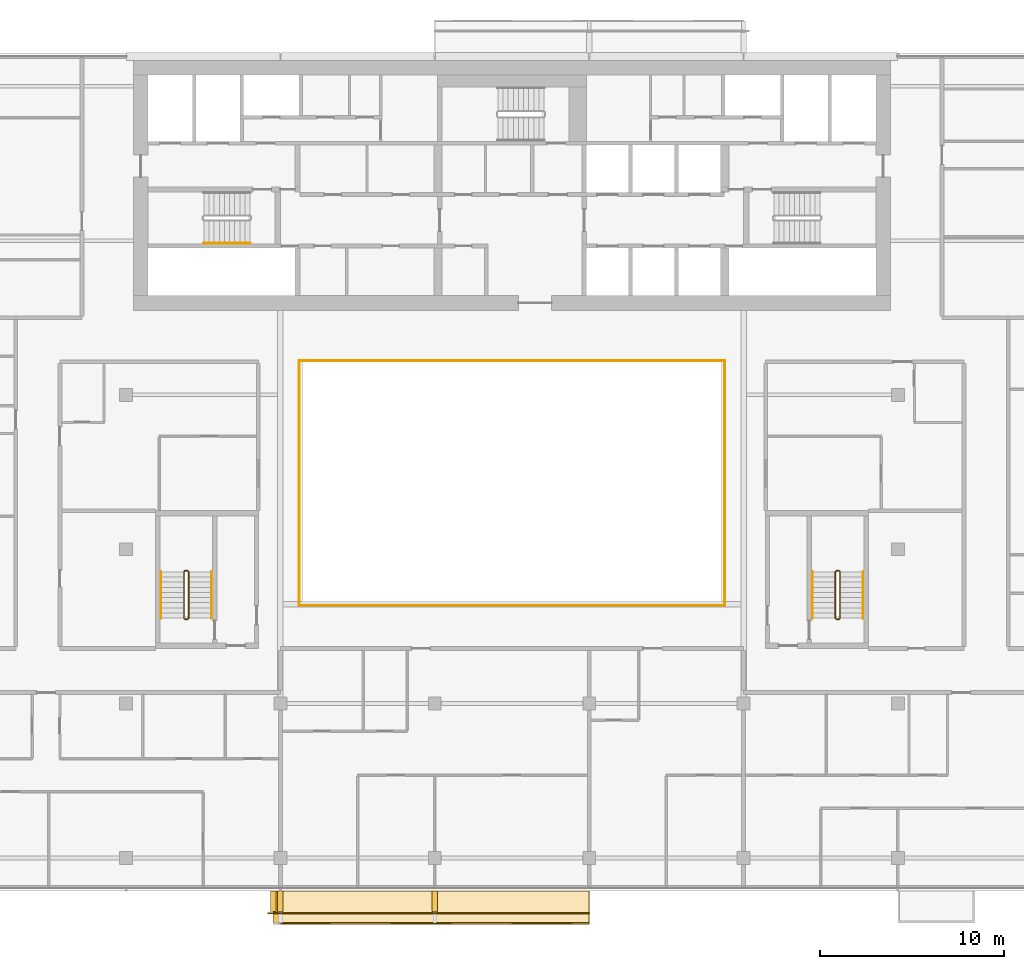
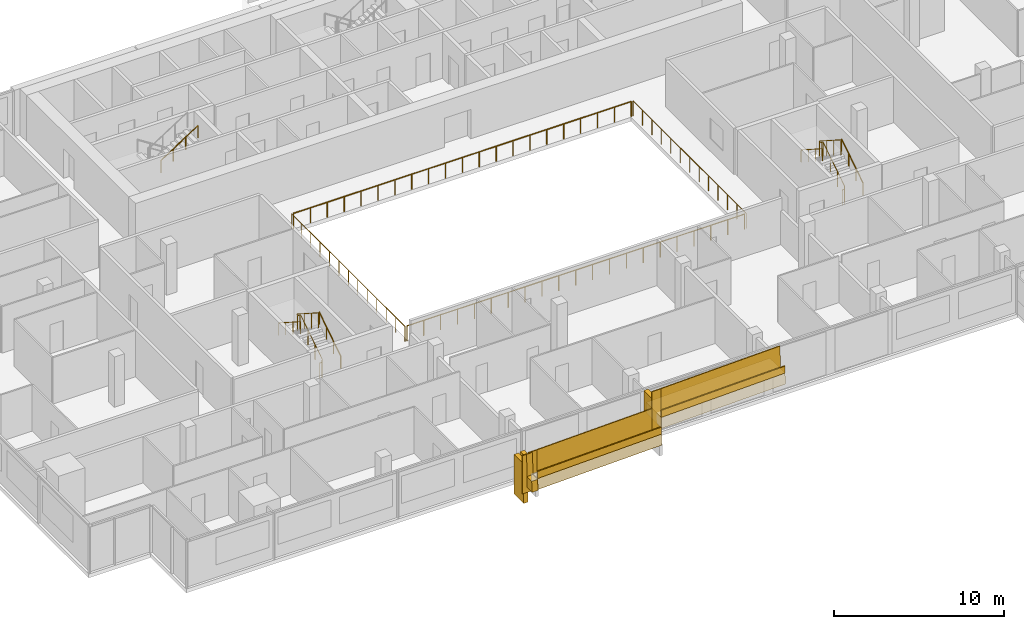
# One storey, part 26 of 27: 17 railings, 8 coverings.
"""IFC4 building model written with IfcOpenShell, lengths in metres."""

from ifc_helpers import new_model, si_unit, direction, frame, origin, origin_2d, place, context, subcontext, project, spatial, polyline, rectangle, circle, outline, extrude, material, layer, layer_set, type_object, element, save


model = new_model("IFC4")

# Units and contexts
model_context = context("Model", 3, precision=1e-05, world=origin(), true_north=direction((0.0, 1.0)))
body_context = subcontext(model_context, "Body", "Model", "MODEL_VIEW")
ifc_project = project(units=[si_unit("LENGTHUNIT", "METRE"), si_unit("AREAUNIT", "SQUARE_METRE"), si_unit("VOLUMEUNIT", "CUBIC_METRE"), si_unit("PLANEANGLEUNIT", "RADIAN"), si_unit("MASSUNIT", "GRAM", prefix="KILO")], contexts=[model_context])

# Site, building, storey
site_placement = place(None, origin())
site = spatial("IfcSite", under=ifc_project, at=site_placement, CompositionType="ELEMENT")
building_placement = place(site_placement, origin())
building = spatial("IfcBuilding", under=site, at=building_placement, Name="Saffron Gate Tower", CompositionType="ELEMENT")
storey_placement = place(building_placement, frame((0.0, 0.0, 172.64990234375)))
storey = spatial("IfcBuildingStorey", under=building, at=storey_placement, Name="L42", CompositionType="ELEMENT", Elevation=172.64990234375)

# Railings
ifc_material_1 = material(Name="Stainless steel and laminated glass", Category="steel")
railing_type_1 = type_object("IfcRailingType", Name="AG1 Atrium edge guard 1100", PredefinedType="GUARDRAIL", material=ifc_material_1)
railing_1_placement = place(storey_placement, frame((76.02001953125, 45.5400390625, 0.0)))
element("IfcRailing", 1, at=railing_1_placement, inside=storey, type_object=railing_type_1, Name="Guard C3-1", PredefinedType="GUARDRAIL", context=body_context, shape_type="SweptSolid", body=[
    extrude(circle(Radius=0.02392578125, at=origin_2d()), frame((0.0, 0.0, 1.076171875), z_axis=(0.0, 1.0, 0.0), x_axis=(-1.0, 0.0, 0.0)), (0.0, 0.0, 1.0), 13.320068359375),
    extrude(circle(Radius=0.02099609375, at=origin_2d()), origin(), (0.0, 0.0, 1.0), 1.052001953125),
    extrude(circle(Radius=0.02099609375, at=origin_2d()), frame((0.0, 1.110107421875, 0.0)), (0.0, 0.0, 1.0), 1.052001953125),
    extrude(circle(Radius=0.02099609375, at=origin_2d()), frame((0.0, 2.219970703125, 0.0)), (0.0, 0.0, 1.0), 1.052001953125),
    extrude(circle(Radius=0.02099609375, at=origin_2d()), frame((0.0, 3.330078125, 0.0)), (0.0, 0.0, 1.0), 1.052001953125),
    extrude(circle(Radius=0.02099609375, at=origin_2d()), frame((0.0, 4.43994140625, 0.0)), (0.0, 0.0, 1.0), 1.052001953125),
    extrude(circle(Radius=0.02099609375, at=origin_2d()), frame((0.0, 5.550048828125, 0.0)), (0.0, 0.0, 1.0), 1.052001953125),
    extrude(circle(Radius=0.02099609375, at=origin_2d()), frame((0.0, 6.66015625, 0.0)), (0.0, 0.0, 1.0), 1.052001953125),
    extrude(circle(Radius=0.02099609375, at=origin_2d()), frame((0.0, 7.77001953125, 0.0)), (0.0, 0.0, 1.0), 1.052001953125),
    extrude(circle(Radius=0.02099609375, at=origin_2d()), frame((0.0, 8.880126953125, 0.0)), (0.0, 0.0, 1.0), 1.052001953125),
    extrude(circle(Radius=0.02099609375, at=origin_2d()), frame((0.0, 9.989990234375, 0.0)), (0.0, 0.0, 1.0), 1.052001953125),
    extrude(circle(Radius=0.02099609375, at=origin_2d()), frame((0.0, 11.10009765625, 0.0)), (0.0, 0.0, 1.0), 1.052001953125),
    extrude(circle(Radius=0.02099609375, at=origin_2d()), frame((0.0, 12.2099609375, 0.0)), (0.0, 0.0, 1.0), 1.052001953125),
    extrude(circle(Radius=0.02099609375, at=origin_2d()), frame((0.0, 13.320068359375, 0.0)), (0.0, 0.0, 1.0), 1.052001953125),
])
railing_2_placement = place(storey_placement, frame((76.139892578125, 58.860107421875, 0.0)))
element("IfcRailing", 2, at=railing_2_placement, inside=storey, type_object=railing_type_1, Name="Guard C3-2", PredefinedType="GUARDRAIL", context=body_context, shape_type="SweptSolid", body=[
    extrude(circle(Radius=0.02392578125, at=origin_2d()), frame((0.0, 0.0, 1.076171875), z_axis=(1.0, 0.0, 0.0), x_axis=(0.0, 1.0, 0.0)), (0.0, 0.0, 1.0), 22.920166015625),
    extrude(circle(Radius=0.02099609375, at=origin_2d()), origin(), (0.0, 0.0, 1.0), 1.052001953125),
    extrude(circle(Radius=0.02099609375, at=origin_2d()), frame((1.14599609375, 0.0, 0.0)), (0.0, 0.0, 1.0), 1.052001953125),
    extrude(circle(Radius=0.02099609375, at=origin_2d()), frame((2.2919921875, 0.0, 0.0)), (0.0, 0.0, 1.0), 1.052001953125),
    extrude(circle(Radius=0.02099609375, at=origin_2d()), frame((3.43798828125, 0.0, 0.0)), (0.0, 0.0, 1.0), 1.052001953125),
    extrude(circle(Radius=0.02099609375, at=origin_2d()), frame((4.583984375, 0.0, 0.0)), (0.0, 0.0, 1.0), 1.052001953125),
    extrude(circle(Radius=0.02099609375, at=origin_2d()), frame((5.72998046875, 0.0, 0.0)), (0.0, 0.0, 1.0), 1.052001953125),
    extrude(circle(Radius=0.02099609375, at=origin_2d()), frame((6.8759765625, 0.0, 0.0)), (0.0, 0.0, 1.0), 1.052001953125),
    extrude(circle(Radius=0.02099609375, at=origin_2d()), frame((8.02197265625, 0.0, 0.0)), (0.0, 0.0, 1.0), 1.052001953125),
    extrude(circle(Radius=0.02099609375, at=origin_2d()), frame((9.16796875, 0.0, 0.0)), (0.0, 0.0, 1.0), 1.052001953125),
    extrude(circle(Radius=0.02099609375, at=origin_2d()), frame((10.31396484375, 0.0, 0.0)), (0.0, 0.0, 1.0), 1.052001953125),
    extrude(circle(Radius=0.02099609375, at=origin_2d()), frame((11.4599609375, 0.0, 0.0)), (0.0, 0.0, 1.0), 1.052001953125),
    extrude(circle(Radius=0.02099609375, at=origin_2d()), frame((12.606201171875, 0.0, 0.0)), (0.0, 0.0, 1.0), 1.052001953125),
    extrude(circle(Radius=0.02099609375, at=origin_2d()), frame((13.752197265625, 0.0, 0.0)), (0.0, 0.0, 1.0), 1.052001953125),
    extrude(circle(Radius=0.02099609375, at=origin_2d()), frame((14.898193359375, 0.0, 0.0)), (0.0, 0.0, 1.0), 1.052001953125),
    extrude(circle(Radius=0.02099609375, at=origin_2d()), frame((16.044189453125, 0.0, 0.0)), (0.0, 0.0, 1.0), 1.052001953125),
    extrude(circle(Radius=0.02099609375, at=origin_2d()), frame((17.190185546875, 0.0, 0.0)), (0.0, 0.0, 1.0), 1.052001953125),
    extrude(circle(Radius=0.02099609375, at=origin_2d()), frame((18.336181640625, 0.0, 0.0)), (0.0, 0.0, 1.0), 1.052001953125),
    extrude(circle(Radius=0.02099609375, at=origin_2d()), frame((19.482177734375, 0.0, 0.0)), (0.0, 0.0, 1.0), 1.052001953125),
    extrude(circle(Radius=0.02099609375, at=origin_2d()), frame((20.628173828125, 0.0, 0.0)), (0.0, 0.0, 1.0), 1.052001953125),
    extrude(circle(Radius=0.02099609375, at=origin_2d()), frame((21.774169921875, 0.0, 0.0)), (0.0, 0.0, 1.0), 1.052001953125),
    extrude(circle(Radius=0.02099609375, at=origin_2d()), frame((22.920166015625, 0.0, 0.0)), (0.0, 0.0, 1.0), 1.052001953125),
])
railing_3_placement = place(storey_placement, frame((99.179931640625, 58.860107421875, 0.0)))
element("IfcRailing", 3, at=railing_3_placement, inside=storey, type_object=railing_type_1, Name="Guard C3-3", PredefinedType="GUARDRAIL", context=body_context, shape_type="SweptSolid", body=[
    extrude(circle(Radius=0.02392578125, at=origin_2d()), frame((0.0, 0.0, 1.076171875), z_axis=(0.0, -1.0, 0.0), x_axis=(1.0, 0.0, 0.0)), (0.0, 0.0, 1.0), 13.320068359375),
    extrude(circle(Radius=0.02099609375, at=origin_2d()), origin(), (0.0, 0.0, 1.0), 1.052001953125),
    extrude(circle(Radius=0.02099609375, at=origin_2d()), frame((0.0, -1.110107421875, 0.0)), (0.0, 0.0, 1.0), 1.052001953125),
    extrude(circle(Radius=0.02099609375, at=origin_2d()), frame((0.0, -2.219970703125, 0.0)), (0.0, 0.0, 1.0), 1.052001953125),
    extrude(circle(Radius=0.02099609375, at=origin_2d()), frame((0.0, -3.330078125, 0.0)), (0.0, 0.0, 1.0), 1.052001953125),
    extrude(circle(Radius=0.02099609375, at=origin_2d()), frame((0.0, -4.43994140625, 0.0)), (0.0, 0.0, 1.0), 1.052001953125),
    extrude(circle(Radius=0.02099609375, at=origin_2d()), frame((0.0, -5.550048828125, 0.0)), (0.0, 0.0, 1.0), 1.052001953125),
    extrude(circle(Radius=0.02099609375, at=origin_2d()), frame((0.0, -6.66015625, 0.0)), (0.0, 0.0, 1.0), 1.052001953125),
    extrude(circle(Radius=0.02099609375, at=origin_2d()), frame((0.0, -7.77001953125, 0.0)), (0.0, 0.0, 1.0), 1.052001953125),
    extrude(circle(Radius=0.02099609375, at=origin_2d()), frame((0.0, -8.880126953125, 0.0)), (0.0, 0.0, 1.0), 1.052001953125),
    extrude(circle(Radius=0.02099609375, at=origin_2d()), frame((0.0, -9.989990234375, 0.0)), (0.0, 0.0, 1.0), 1.052001953125),
    extrude(circle(Radius=0.02099609375, at=origin_2d()), frame((0.0, -11.10009765625, 0.0)), (0.0, 0.0, 1.0), 1.052001953125),
    extrude(circle(Radius=0.02099609375, at=origin_2d()), frame((0.0, -12.2099609375, 0.0)), (0.0, 0.0, 1.0), 1.052001953125),
    extrude(circle(Radius=0.02099609375, at=origin_2d()), frame((0.0, -13.320068359375, 0.0)), (0.0, 0.0, 1.0), 1.052001953125),
])
railing_4_placement = place(storey_placement, frame((99.06005859375, 45.5400390625, 0.0)))
element("IfcRailing", 4, at=railing_4_placement, inside=storey, type_object=railing_type_1, Name="Guard C3-4", PredefinedType="GUARDRAIL", context=body_context, shape_type="SweptSolid", body=[
    extrude(circle(Radius=0.02392578125, at=origin_2d()), frame((0.0, 0.0, 1.076171875), z_axis=(-1.0, 0.0, 0.0), x_axis=(0.0, -1.0, 0.0)), (0.0, 0.0, 1.0), 22.920166015625),
    extrude(circle(Radius=0.02099609375, at=origin_2d()), origin(), (0.0, 0.0, 1.0), 1.052001953125),
    extrude(circle(Radius=0.02099609375, at=origin_2d()), frame((-1.14599609375, 0.0, 0.0)), (0.0, 0.0, 1.0), 1.052001953125),
    extrude(circle(Radius=0.02099609375, at=origin_2d()), frame((-2.2919921875, 0.0, 0.0)), (0.0, 0.0, 1.0), 1.052001953125),
    extrude(circle(Radius=0.02099609375, at=origin_2d()), frame((-3.43798828125, 0.0, 0.0)), (0.0, 0.0, 1.0), 1.052001953125),
    extrude(circle(Radius=0.02099609375, at=origin_2d()), frame((-4.583984375, 0.0, 0.0)), (0.0, 0.0, 1.0), 1.052001953125),
    extrude(circle(Radius=0.02099609375, at=origin_2d()), frame((-5.72998046875, 0.0, 0.0)), (0.0, 0.0, 1.0), 1.052001953125),
    extrude(circle(Radius=0.02099609375, at=origin_2d()), frame((-6.8759765625, 0.0, 0.0)), (0.0, 0.0, 1.0), 1.052001953125),
    extrude(circle(Radius=0.02099609375, at=origin_2d()), frame((-8.02197265625, 0.0, 0.0)), (0.0, 0.0, 1.0), 1.052001953125),
    extrude(circle(Radius=0.02099609375, at=origin_2d()), frame((-9.16796875, 0.0, 0.0)), (0.0, 0.0, 1.0), 1.052001953125),
    extrude(circle(Radius=0.02099609375, at=origin_2d()), frame((-10.31396484375, 0.0, 0.0)), (0.0, 0.0, 1.0), 1.052001953125),
    extrude(circle(Radius=0.02099609375, at=origin_2d()), frame((-11.4599609375, 0.0, 0.0)), (0.0, 0.0, 1.0), 1.052001953125),
    extrude(circle(Radius=0.02099609375, at=origin_2d()), frame((-12.606201171875, 0.0, 0.0)), (0.0, 0.0, 1.0), 1.052001953125),
    extrude(circle(Radius=0.02099609375, at=origin_2d()), frame((-13.752197265625, 0.0, 0.0)), (0.0, 0.0, 1.0), 1.052001953125),
    extrude(circle(Radius=0.02099609375, at=origin_2d()), frame((-14.898193359375, 0.0, 0.0)), (0.0, 0.0, 1.0), 1.052001953125),
    extrude(circle(Radius=0.02099609375, at=origin_2d()), frame((-16.044189453125, 0.0, 0.0)), (0.0, 0.0, 1.0), 1.052001953125),
    extrude(circle(Radius=0.02099609375, at=origin_2d()), frame((-17.190185546875, 0.0, 0.0)), (0.0, 0.0, 1.0), 1.052001953125),
    extrude(circle(Radius=0.02099609375, at=origin_2d()), frame((-18.336181640625, 0.0, 0.0)), (0.0, 0.0, 1.0), 1.052001953125),
    extrude(circle(Radius=0.02099609375, at=origin_2d()), frame((-19.482177734375, 0.0, 0.0)), (0.0, 0.0, 1.0), 1.052001953125),
    extrude(circle(Radius=0.02099609375, at=origin_2d()), frame((-20.628173828125, 0.0, 0.0)), (0.0, 0.0, 1.0), 1.052001953125),
    extrude(circle(Radius=0.02099609375, at=origin_2d()), frame((-21.774169921875, 0.0, 0.0)), (0.0, 0.0, 1.0), 1.052001953125),
    extrude(circle(Radius=0.02099609375, at=origin_2d()), frame((-22.920166015625, 0.0, 0.0)), (0.0, 0.0, 1.0), 1.052001953125),
])
railing_type_2 = type_object("IfcRailingType", Name="CR1 Stair guard 1100", PredefinedType="GUARDRAIL", material=ifc_material_1)
railing_5_placement = place(storey_placement, frame((69.800048828125, 44.800048828125, 0.0)))
element("IfcRailing", 5, at=railing_5_placement, inside=storey, type_object=railing_type_2, Name="L42 ST-D stair guard 1", PredefinedType="GUARDRAIL", context=body_context, shape_type="SweptSolid", body=[
    extrude(circle(Radius=0.02392578125, at=origin_2d()), frame((0.0, 0.0, 1.076171875), z_axis=(1.0, 0.0, 0.0), x_axis=(0.0, 1.0, 0.0)), (0.0, 0.0, 1.0), 0.14990234375),
    extrude(circle(Radius=0.02392578125, at=origin_2d()), frame((0.14990234375, 0.0, 1.076171875), z_axis=(0.258543844998, 0.258543844998, 0.930757841991), x_axis=(-0.707106781187, 0.707106781187, 0.0)), (0.0, 0.0, 1.0), 0.193603515625),
    extrude(circle(Radius=0.02392578125, at=origin_2d()), frame((0.199951171875, 0.050048828125, 1.25634765625), z_axis=(0.0, 0.841199657755, 0.540724639528), x_axis=(-1.0, 0.0, 0.0)), (0.0, 0.0, 1.0), 2.995849609375),
    extrude(circle(Radius=0.02392578125, at=origin_2d()), frame((0.199951171875, 2.570068359375, 2.8759765625), z_axis=(-0.708833529934, 0.705375805398, 0.0), x_axis=(-0.705375805398, -0.708833529934, 0.0)), (0.0, 0.0, 1.0), 0.070556640625),
    extrude(circle(Radius=0.02392578125, at=origin_2d()), frame((0.14990234375, 2.619873046875, 2.8759765625), z_axis=(-1.0, 0.0, 0.0), x_axis=(0.0, -1.0, 0.0)), (0.0, 0.0, 1.0), 0.14990234375),
    extrude(circle(Radius=0.02392578125, at=origin_2d()), frame((0.0, 2.619873046875, 2.8759765625), z_axis=(-0.258932105505, -0.257669022063, 0.930892496375), x_axis=(0.705375805398, -0.708833529934, 0.0)), (0.0, 0.0, 1.0), 0.193359375),
    extrude(circle(Radius=0.02392578125, at=origin_2d()), frame((-0.050048828125, 2.570068359375, 3.05615234375), z_axis=(0.0, -0.841162588446, 0.540782303519), x_axis=(1.0, 0.0, 0.0)), (0.0, 0.0, 1.0), 2.995849609375),
    extrude(circle(Radius=0.02099609375, at=origin_2d()), origin(), (0.0, 0.0, 1.0), 1.052001953125),
    extrude(circle(Radius=0.02099609375, at=origin_2d()), frame((0.14990234375, 0.0, 0.0)), (0.0, 0.0, 1.0), 1.052001953125),
    extrude(circle(Radius=0.02099609375, at=origin_2d()), frame((0.199951171875, 0.050048828125, 0.18017578125)), (0.0, 0.0, 1.0), 1.052001953125),
    extrude(circle(Radius=0.02099609375, at=origin_2d()), frame((0.199951171875, 0.89013671875, 0.72021484375)), (0.0, 0.0, 1.0), 1.052001953125),
    extrude(circle(Radius=0.02099609375, at=origin_2d()), frame((0.199951171875, 1.72998046875, 1.260009765625)), (0.0, 0.0, 1.0), 1.052001953125),
    extrude(circle(Radius=0.02099609375, at=origin_2d()), frame((0.199951171875, 2.570068359375, 1.800048828125)), (0.0, 0.0, 1.0), 1.052001953125),
    extrude(circle(Radius=0.02099609375, at=origin_2d()), frame((0.14990234375, 2.619873046875, 1.800048828125)), (0.0, 0.0, 1.0), 1.052001953125),
    extrude(circle(Radius=0.02099609375, at=origin_2d()), frame((0.0, 2.619873046875, 1.800048828125)), (0.0, 0.0, 1.0), 1.052001953125),
    extrude(circle(Radius=0.02099609375, at=origin_2d()), frame((-0.050048828125, 2.570068359375, 1.97998046875)), (0.0, 0.0, 1.0), 1.052001953125),
    extrude(circle(Radius=0.02099609375, at=origin_2d()), frame((-0.050048828125, 1.72998046875, 2.52001953125)), (0.0, 0.0, 1.0), 1.052001953125),
    extrude(circle(Radius=0.02099609375, at=origin_2d()), frame((-0.050048828125, 0.89013671875, 3.06005859375)), (0.0, 0.0, 1.0), 1.052001953125),
    extrude(circle(Radius=0.02099609375, at=origin_2d()), frame((-0.050048828125, 0.050048828125, 3.60009765625)), (0.0, 0.0, 1.0), 1.052001953125),
])
railing_6_placement = place(storey_placement, frame((105.25, 44.800048828125, 0.0)))
element("IfcRailing", 6, at=railing_6_placement, inside=storey, type_object=railing_type_2, Name="L42 ST-E stair guard 1", PredefinedType="GUARDRAIL", context=body_context, shape_type="SweptSolid", body=[
    extrude(circle(Radius=0.02392578125, at=origin_2d()), frame((0.0, 0.0, 1.076171875), z_axis=(1.0, 0.0, 0.0), x_axis=(0.0, 1.0, 0.0)), (0.0, 0.0, 1.0), 0.14990234375),
    extrude(circle(Radius=0.02392578125, at=origin_2d()), frame((0.14990234375, 0.0, 1.076171875), z_axis=(0.258543844998, 0.258543844998, 0.930757841991), x_axis=(-0.707106781187, 0.707106781187, 0.0)), (0.0, 0.0, 1.0), 0.193603515625),
    extrude(circle(Radius=0.02392578125, at=origin_2d()), frame((0.199951171875, 0.050048828125, 1.25634765625), z_axis=(0.0, 0.841199657755, 0.540724639528), x_axis=(-1.0, 0.0, 0.0)), (0.0, 0.0, 1.0), 2.995849609375),
    extrude(circle(Radius=0.02392578125, at=origin_2d()), frame((0.199951171875, 2.570068359375, 2.8759765625), z_axis=(-0.708833529934, 0.705375805398, 0.0), x_axis=(-0.705375805398, -0.708833529934, 0.0)), (0.0, 0.0, 1.0), 0.070556640625),
    extrude(circle(Radius=0.02392578125, at=origin_2d()), frame((0.14990234375, 2.619873046875, 2.8759765625), z_axis=(-1.0, 0.0, 0.0), x_axis=(0.0, -1.0, 0.0)), (0.0, 0.0, 1.0), 0.14990234375),
    extrude(circle(Radius=0.02392578125, at=origin_2d()), frame((0.0, 2.619873046875, 2.8759765625), z_axis=(-0.258932105505, -0.257669022063, 0.930892496375), x_axis=(0.705375805398, -0.708833529934, 0.0)), (0.0, 0.0, 1.0), 0.193359375),
    extrude(circle(Radius=0.02392578125, at=origin_2d()), frame((-0.050048828125, 2.570068359375, 3.05615234375), z_axis=(0.0, -0.841162588446, 0.540782303519), x_axis=(1.0, 0.0, 0.0)), (0.0, 0.0, 1.0), 2.995849609375),
    extrude(circle(Radius=0.02099609375, at=origin_2d()), origin(), (0.0, 0.0, 1.0), 1.052001953125),
    extrude(circle(Radius=0.02099609375, at=origin_2d()), frame((0.14990234375, 0.0, 0.0)), (0.0, 0.0, 1.0), 1.052001953125),
    extrude(circle(Radius=0.02099609375, at=origin_2d()), frame((0.199951171875, 0.050048828125, 0.18017578125)), (0.0, 0.0, 1.0), 1.052001953125),
    extrude(circle(Radius=0.02099609375, at=origin_2d()), frame((0.199951171875, 0.89013671875, 0.72021484375)), (0.0, 0.0, 1.0), 1.052001953125),
    extrude(circle(Radius=0.02099609375, at=origin_2d()), frame((0.199951171875, 1.72998046875, 1.260009765625)), (0.0, 0.0, 1.0), 1.052001953125),
    extrude(circle(Radius=0.02099609375, at=origin_2d()), frame((0.199951171875, 2.570068359375, 1.800048828125)), (0.0, 0.0, 1.0), 1.052001953125),
    extrude(circle(Radius=0.02099609375, at=origin_2d()), frame((0.14990234375, 2.619873046875, 1.800048828125)), (0.0, 0.0, 1.0), 1.052001953125),
    extrude(circle(Radius=0.02099609375, at=origin_2d()), frame((0.0, 2.619873046875, 1.800048828125)), (0.0, 0.0, 1.0), 1.052001953125),
    extrude(circle(Radius=0.02099609375, at=origin_2d()), frame((-0.050048828125, 2.570068359375, 1.97998046875)), (0.0, 0.0, 1.0), 1.052001953125),
    extrude(circle(Radius=0.02099609375, at=origin_2d()), frame((-0.050048828125, 1.72998046875, 2.52001953125)), (0.0, 0.0, 1.0), 1.052001953125),
    extrude(circle(Radius=0.02099609375, at=origin_2d()), frame((-0.050048828125, 0.89013671875, 3.06005859375)), (0.0, 0.0, 1.0), 1.052001953125),
    extrude(circle(Radius=0.02099609375, at=origin_2d()), frame((-0.050048828125, 0.050048828125, 3.60009765625)), (0.0, 0.0, 1.0), 1.052001953125),
])
ifc_material_2 = material(Name="Stainless steel", Category="steel")
railing_type_3 = type_object("IfcRailingType", Name="CR2 Stair handrail 900", PredefinedType="HANDRAIL", material=ifc_material_2)
railing_7_placement = place(storey_placement, frame((70.830078125, 65.25, 1.97998046875)))
element("IfcRailing", 7, at=railing_7_placement, inside=storey, type_object=railing_type_3, Name="L42 ST-A stair handrail 2", PredefinedType="HANDRAIL", context=body_context, shape_type="SweptSolid", body=[
    extrude(circle(Radius=0.02392578125, at=origin_2d()), frame((0.0, 0.0, 0.8759765625), z_axis=(0.841162588446, 0.0, 0.540782303519), x_axis=(0.0, 1.0, 0.0)), (0.0, 0.0, 1.0), 2.995849609375),
    extrude(circle(Radius=0.02099609375, at=origin_2d()), origin(), (0.0, 0.0, 1.0), 0.851806640625),
    extrude(circle(Radius=0.02099609375, at=origin_2d()), frame((0.840087890625, 0.0, 0.5400390625)), (0.0, 0.0, 1.0), 0.851806640625),
    extrude(circle(Radius=0.02099609375, at=origin_2d()), frame((1.679931640625, 0.0, 1.080078125)), (0.0, 0.0, 1.0), 0.851806640625),
    extrude(circle(Radius=0.02099609375, at=origin_2d()), frame((2.52001953125, 0.0, 1.6201171875)), (0.0, 0.0, 1.0), 0.851806640625),
])
railing_8_placement = place(storey_placement, frame((71.25, 44.85009765625, 0.18017578125)))
element("IfcRailing", 8, at=railing_8_placement, inside=storey, type_object=railing_type_3, Name="L42 ST-D stair handrail 1", PredefinedType="HANDRAIL", context=body_context, shape_type="SweptSolid", body=[
    extrude(circle(Radius=0.02392578125, at=origin_2d()), frame((0.0, 0.0, 0.8759765625), z_axis=(0.0, 0.841199657755, 0.540724639528), x_axis=(-1.0, 0.0, 0.0)), (0.0, 0.0, 1.0), 2.995849609375),
    extrude(circle(Radius=0.02099609375, at=origin_2d()), origin(), (0.0, 0.0, 1.0), 0.851806640625),
    extrude(circle(Radius=0.02099609375, at=origin_2d()), frame((0.0, 0.840087890625, 0.5400390625)), (0.0, 0.0, 1.0), 0.851806640625),
    extrude(circle(Radius=0.02099609375, at=origin_2d()), frame((0.0, 1.679931640625, 1.079833984375)), (0.0, 0.0, 1.0), 0.851806640625),
    extrude(circle(Radius=0.02099609375, at=origin_2d()), frame((0.0, 2.52001953125, 1.619873046875)), (0.0, 0.0, 1.0), 0.851806640625),
])
railing_9_placement = place(storey_placement, frame((68.5, 47.3701171875, 1.97998046875)))
element("IfcRailing", 9, at=railing_9_placement, inside=storey, type_object=railing_type_3, Name="L42 ST-D stair handrail 2", PredefinedType="HANDRAIL", context=body_context, shape_type="SweptSolid", body=[
    extrude(circle(Radius=0.02392578125, at=origin_2d()), frame((0.0, 0.0, 0.8759765625), z_axis=(0.0, -0.841162588446, 0.540782303519), x_axis=(1.0, 0.0, 0.0)), (0.0, 0.0, 1.0), 2.995849609375),
    extrude(circle(Radius=0.02099609375, at=origin_2d()), origin(), (0.0, 0.0, 1.0), 0.851806640625),
    extrude(circle(Radius=0.02099609375, at=origin_2d()), frame((0.0, -0.840087890625, 0.5400390625)), (0.0, 0.0, 1.0), 0.851806640625),
    extrude(circle(Radius=0.02099609375, at=origin_2d()), frame((0.0, -1.679931640625, 1.080078125)), (0.0, 0.0, 1.0), 0.851806640625),
    extrude(circle(Radius=0.02099609375, at=origin_2d()), frame((0.0, -2.52001953125, 1.6201171875)), (0.0, 0.0, 1.0), 0.851806640625),
])
railing_10_placement = place(storey_placement, frame((106.699951171875, 44.85009765625, 0.18017578125)))
element("IfcRailing", 10, at=railing_10_placement, inside=storey, type_object=railing_type_3, Name="L42 ST-E stair handrail 1", PredefinedType="HANDRAIL", context=body_context, shape_type="SweptSolid", body=[
    extrude(circle(Radius=0.02392578125, at=origin_2d()), frame((0.0, 0.0, 0.8759765625), z_axis=(0.0, 0.841199657755, 0.540724639528), x_axis=(-1.0, 0.0, 0.0)), (0.0, 0.0, 1.0), 2.995849609375),
    extrude(circle(Radius=0.02099609375, at=origin_2d()), origin(), (0.0, 0.0, 1.0), 0.851806640625),
    extrude(circle(Radius=0.02099609375, at=origin_2d()), frame((0.0, 0.840087890625, 0.5400390625)), (0.0, 0.0, 1.0), 0.851806640625),
    extrude(circle(Radius=0.02099609375, at=origin_2d()), frame((0.0, 1.679931640625, 1.079833984375)), (0.0, 0.0, 1.0), 0.851806640625),
    extrude(circle(Radius=0.02099609375, at=origin_2d()), frame((0.0, 2.52001953125, 1.619873046875)), (0.0, 0.0, 1.0), 0.851806640625),
])
railing_11_placement = place(storey_placement, frame((103.949951171875, 47.3701171875, 1.97998046875)))
element("IfcRailing", 11, at=railing_11_placement, inside=storey, type_object=railing_type_3, Name="L42 ST-E stair handrail 2", PredefinedType="HANDRAIL", context=body_context, shape_type="SweptSolid", body=[
    extrude(circle(Radius=0.02392578125, at=origin_2d()), frame((0.0, 0.0, 0.8759765625), z_axis=(0.0, -0.841162588446, 0.540782303519), x_axis=(1.0, 0.0, 0.0)), (0.0, 0.0, 1.0), 2.995849609375),
    extrude(circle(Radius=0.02099609375, at=origin_2d()), origin(), (0.0, 0.0, 1.0), 0.851806640625),
    extrude(circle(Radius=0.02099609375, at=origin_2d()), frame((0.0, -0.840087890625, 0.5400390625)), (0.0, 0.0, 1.0), 0.851806640625),
    extrude(circle(Radius=0.02099609375, at=origin_2d()), frame((0.0, -1.679931640625, 1.080078125)), (0.0, 0.0, 1.0), 0.851806640625),
    extrude(circle(Radius=0.02099609375, at=origin_2d()), frame((0.0, -2.52001953125, 1.6201171875)), (0.0, 0.0, 1.0), 0.851806640625),
])

# Coverings
ifc_material_3 = material(Name="Timber, thermally modified ash", Category="wood")
ifc_layer_1 = layer(ifc_material_3, 0.800048828125)
ifc_layer_set_1 = layer_set([ifc_layer_1], Name="LD1 ledge timber")
covering_type_1 = type_object("IfcCoveringType", Name="LD1 ledge timber", PredefinedType="CLADDING", material=ifc_layer_set_1)
covering_1_placement = place(storey_placement, frame((74.60009765625, 30.0, 0.975341796875), z_axis=(-0.028681724025, 0.0, 0.999588594726), x_axis=(0.999588594726, 0.0, 0.028681724025)))
element("IfcCovering", 12, at=covering_1_placement, inside=storey, type_object=covering_type_1, Name="LEDGE", PredefinedType="CLADDING", context=body_context, shape_type="SweptSolid", body=[
    extrude(outline(polyline([(0.0, 0.0), (0.40006693339621563, 0.0), (0.40006693339621563, -1.8000488281250004), (0.0, -1.8000488281250004), (0.0, 0.0)])), origin(), (0.0, 0.0, -1.0), 0.800048828125),
])
covering_2_placement = place(storey_placement, frame((75.0, 30.0, 1.0439453125), z_axis=(-0.028791175352, 0.0, 0.999585448184), x_axis=(0.999585448184, 0.0, 0.028791175352)))
element("IfcCovering", 13, at=covering_2_placement, inside=storey, type_object=covering_type_1, Name="LEDGE", PredefinedType="CLADDING", context=body_context, shape_type="SweptSolid", body=[
    extrude(outline(polyline([(0.0, 0.0), (8.403385982666892, 0.0), (8.403385982666892, -1.800048828125), (0.0, -1.800048828125), (0.0, 0.0)])), origin(), (0.0, 0.0, -1.0), 0.800048828125),
])
covering_3_placement = place(storey_placement, frame((83.39990234375, 30.0, 2.486328125), z_axis=(-0.028790339263, 0.0, 0.999585472266), x_axis=(0.999585472266, 0.0, 0.028790339263)))
element("IfcCovering", 14, at=covering_3_placement, inside=storey, type_object=covering_type_1, Name="LEDGE", PredefinedType="CLADDING", context=body_context, shape_type="SweptSolid", body=[
    extrude(outline(polyline([(0.0, 0.0), (8.403630022085892, 0.0), (8.403630022085892, -1.800048828125), (0.0, -1.800048828125), (0.0, 0.0)])), origin(), (0.0, 0.0, -1.0), 0.800048828125),
])
ifc_layer_2 = layer(ifc_material_3, 0.080078125)
ifc_layer_set_2 = layer_set([ifc_layer_2], Name="LD2 ledge planter trough")
covering_type_2 = type_object("IfcCoveringType", Name="LD2 ledge planter trough", PredefinedType="CLADDING", material=ifc_layer_set_2)
covering_4_placement = place(storey_placement, frame((75.0, 28.199951171875, 1.0439453125), z_axis=(0.0, -1.0, 0.0), x_axis=(0.999585448184, 0.0, 0.028791175352)))
element("IfcCovering", 15, at=covering_4_placement, inside=storey, type_object=covering_type_2, Name="LEDGE planter trough", PredefinedType="CLADDING", context=body_context, shape_type="SweptSolid", body=[
    extrude(outline(polyline([(0.0, 0.0), (8.403385982666892, 0.0), (8.417781570342743, 0.49979272409216496), (0.014395587675851172, 0.4997927240921649), (0.0, 0.0)])), origin(), (0.0, 0.0, -1.0), 0.080078125),
])
covering_5_placement = place(storey_placement, frame((83.39990234375, 28.199951171875, 2.486328125), z_axis=(0.0, -1.0, 0.0), x_axis=(0.999585472266, 0.0, 0.028790339263)))
element("IfcCovering", 16, at=covering_5_placement, inside=storey, type_object=covering_type_2, Name="LEDGE planter trough", PredefinedType="CLADDING", context=body_context, shape_type="SweptSolid", body=[
    extrude(outline(polyline([(0.0, 0.0), (8.403630022085892, 0.0), (8.418025191717298, 0.4997927361329725), (0.014395169631405694, 0.4997927361329725), (0.0, 0.0)])), origin(), (0.0, 0.0, -1.0), 0.080078125),
])
ifc_layer_3 = layer(ifc_material_3, 0.300048828125)
ifc_layer_set_3 = layer_set([ifc_layer_3], Name="LD3 ledge riser fin")
covering_type_3 = type_object("IfcCoveringType", Name="LD3 ledge riser fin", PredefinedType="CLADDING", material=ifc_layer_set_3)
covering_6_placement = place(storey_placement, frame((74.60009765625, 29.43994140625, -0.9677734375), z_axis=(0.0, 0.0, 1.0), x_axis=(1.0, 0.0, 0.0)))
element("IfcCovering", 17, at=covering_6_placement, inside=storey, type_object=covering_type_3, Name="LEDGE riser fin", PredefinedType="CLADDING", context=body_context, shape_type="SweptSolid", body=[
    extrude(rectangle(XDim=0.300048828125, YDim=1.1201171875, at=origin_2d()), origin(), (0.0, 0.0, 1.0), 2.84326171875),
])
covering_7_placement = place(storey_placement, frame((75.0, 29.43994140625, 0.18701171875), z_axis=(0.0, 0.0, 1.0), x_axis=(1.0, 0.0, 0.0)))
element("IfcCovering", 18, at=covering_7_placement, inside=storey, type_object=covering_type_3, Name="LEDGE riser fin", PredefinedType="CLADDING", context=body_context, shape_type="SweptSolid", body=[
    extrude(rectangle(XDim=0.300048828125, YDim=1.1201171875, at=origin_2d()), origin(), (0.0, 0.0, 1.0), 1.757080078125),
])
covering_8_placement = place(storey_placement, frame((83.39990234375, 29.43994140625, 0.486083984375), z_axis=(0.0, 0.0, 1.0), x_axis=(1.0, 0.0, 0.0)))
element("IfcCovering", 19, at=covering_8_placement, inside=storey, type_object=covering_type_3, Name="LEDGE riser fin", PredefinedType="CLADDING", context=body_context, shape_type="SweptSolid", body=[
    extrude(rectangle(XDim=0.300048828125, YDim=1.1201171875, at=origin_2d()), origin(), (0.0, 0.0, 1.0), 2.900390625),
])

# Railings
railing_type_4 = type_object("IfcRailingType", Name="LG1 ledge balustrade", PredefinedType="BALUSTRADE", material=ifc_material_3)
railing_12_placement = place(storey_placement, frame((74.60009765625, 28.800048828125, 0.975341796875)))
element("IfcRailing", 20, at=railing_12_placement, inside=storey, type_object=railing_type_4, Name="LEDGE BALUSTRADE", PredefinedType="BALUSTRADE", context=body_context, shape_type="SweptSolid", body=[
    extrude(rectangle(XDim=0.06005859375, YDim=1.60009765625, at=origin_2d()), frame((0.0, 0.0, 0.800048828125), z_axis=(0.999588594726, 0.0, 0.028681724025), x_axis=(0.0, 1.0, 0.0)), (0.0, 0.0, 1.0), 0.400146484375),
])
railing_13_placement = place(storey_placement, frame((74.300048828125, 28.800048828125, -0.16796875)))
element("IfcRailing", 21, at=railing_13_placement, inside=storey, type_object=railing_type_4, Name="LEDGE BALUSTRADE", PredefinedType="BALUSTRADE", context=body_context, shape_type="SweptSolid", body=[
    extrude(rectangle(XDim=0.06005859375, YDim=2.7431640625, at=origin_2d()), frame((0.0, 0.0, 1.37158203125), z_axis=(1.0, 0.0, 0.0), x_axis=(0.0, 1.0, 0.0)), (0.0, 0.0, 1.0), 0.599853515625),
])
railing_14_placement = place(storey_placement, frame((75.0, 28.800048828125, 1.0439453125)))
element("IfcRailing", 22, at=railing_14_placement, inside=storey, type_object=railing_type_4, Name="LEDGE BALUSTRADE", PredefinedType="BALUSTRADE", context=body_context, shape_type="SweptSolid", body=[
    extrude(rectangle(XDim=0.06005859375, YDim=1.60009765625, at=origin_2d()), frame((0.0, 0.0, 0.800048828125), z_axis=(0.999585448184, 0.0, 0.028791175352), x_axis=(0.0, 1.0, 0.0)), (0.0, 0.0, 1.0), 8.4033203125),
])
railing_15_placement = place(storey_placement, frame((74.699951171875, 28.800048828125, 0.98681640625)))
element("IfcRailing", 23, at=railing_15_placement, inside=storey, type_object=railing_type_4, Name="LEDGE BALUSTRADE", PredefinedType="BALUSTRADE", context=body_context, shape_type="SweptSolid", body=[
    extrude(rectangle(XDim=0.06005859375, YDim=1.6572265625, at=origin_2d()), frame((0.0, 0.0, 0.82861328125), z_axis=(1.0, 0.0, 0.0), x_axis=(0.0, 1.0, 0.0)), (0.0, 0.0, 1.0), 0.60009765625),
])
railing_16_placement = place(storey_placement, frame((83.39990234375, 28.800048828125, 2.486328125)))
element("IfcRailing", 24, at=railing_16_placement, inside=storey, type_object=railing_type_4, Name="LEDGE BALUSTRADE", PredefinedType="BALUSTRADE", context=body_context, shape_type="SweptSolid", body=[
    extrude(rectangle(XDim=0.06005859375, YDim=1.60009765625, at=origin_2d()), frame((0.0, 0.0, 0.800048828125), z_axis=(0.999585472266, 0.0, 0.028790339263), x_axis=(0.0, 1.0, 0.0)), (0.0, 0.0, 1.0), 8.403564453125),
])
railing_17_placement = place(storey_placement, frame((83.10009765625, 28.800048828125, 1.285888671875)))
element("IfcRailing", 25, at=railing_17_placement, inside=storey, type_object=railing_type_4, Name="LEDGE BALUSTRADE", PredefinedType="BALUSTRADE", context=body_context, shape_type="SweptSolid", body=[
    extrude(rectangle(XDim=0.06005859375, YDim=2.80029296875, at=origin_2d()), frame((0.0, 0.0, 1.400146484375), z_axis=(1.0, 0.0, 0.0), x_axis=(0.0, 1.0, 0.0)), (0.0, 0.0, 1.0), 0.599853515625),
])

save(model, "model.ifc")
